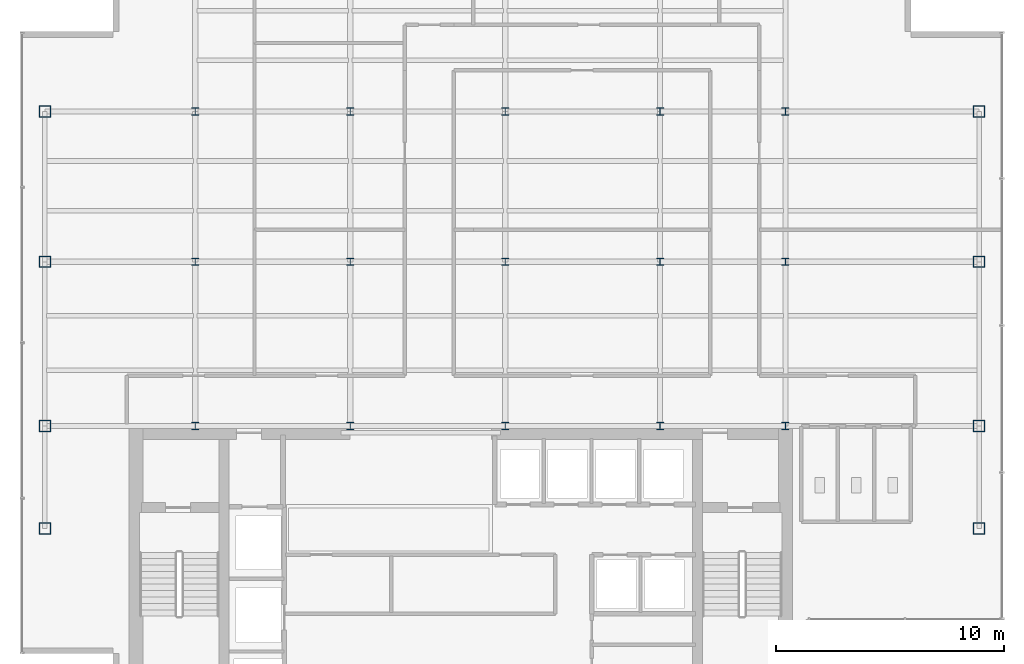
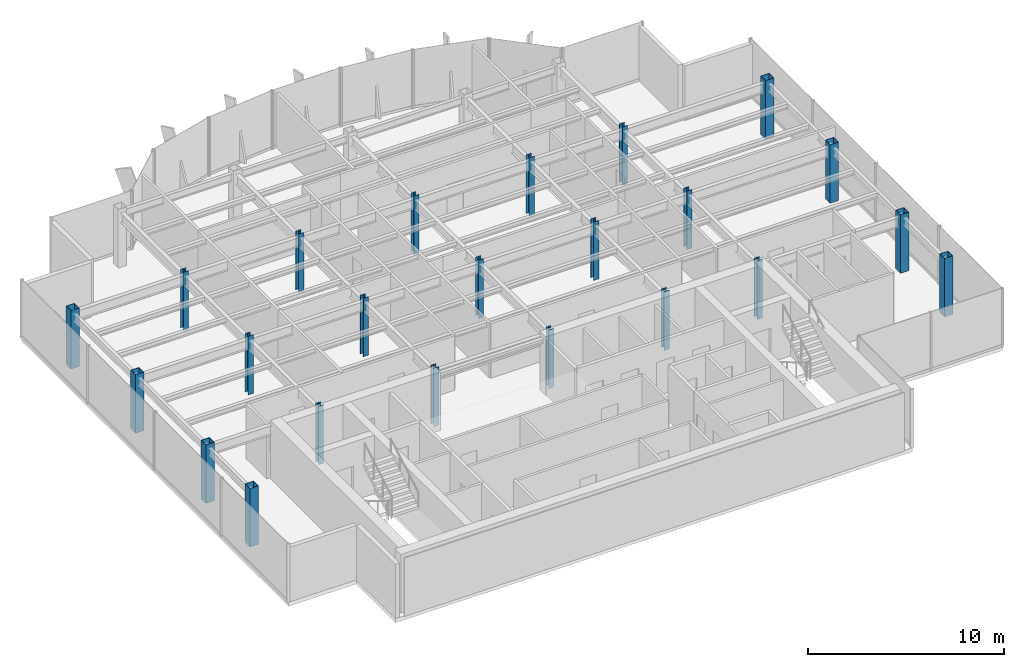
# One storey, part 1 of 22: 23 columns.
"""IFC4 building model written with IfcOpenShell, lengths in metres."""

from ifc_helpers import new_model, si_unit, derived_unit, direction, frame, origin, origin_2d, place, context, subcontext, project, spatial, hollow_rectangle, i_section, extrude, source, transform, mapped, material, material_profile, profile_set, type_object, element, save


model = new_model("IFC4")

# Units and contexts
model_context = context("Model", 3, precision=1e-05, world=origin(), true_north=direction((0.0, 1.0)))
body_context = subcontext(model_context, "Body", "Model", "MODEL_VIEW")
ifc_project = project(units=[si_unit("LENGTHUNIT", "METRE"), si_unit("AREAUNIT", "SQUARE_METRE"), si_unit("VOLUMEUNIT", "CUBIC_METRE"), si_unit("PLANEANGLEUNIT", "RADIAN"), si_unit("MASSUNIT", "GRAM", prefix="KILO"), derived_unit("THERMALTRANSMITTANCEUNIT", [(si_unit("POWERUNIT", "WATT"), 1), (si_unit("LENGTHUNIT", "METRE"), -2), (si_unit("THERMODYNAMICTEMPERATUREUNIT", "KELVIN"), -1)])], contexts=[model_context])

# Site, building, storey
site_placement = place(None, origin())
site = spatial("IfcSite", under=ifc_project, at=site_placement, CompositionType="ELEMENT")
building_placement = place(site_placement, origin())
building = spatial("IfcBuilding", under=site, at=building_placement, Name="Skarnbrae Concourse Arena and Tower", CompositionType="ELEMENT")
storey_placement = place(building_placement, frame((0.0, 0.0, 247.85009765625)))
storey = spatial("IfcBuildingStorey", under=building, at=storey_placement, Name="L64", CompositionType="ELEMENT", Elevation=247.85009765625)

# Columns
ifc_material = material(Name="Steel CSA G40.21 350W", Category="steel")
ifc_material_profile_1 = material_profile(ifc_material, hollow_rectangle(XDim=0.5, YDim=0.5, WallThickness=0.02197265625, at=origin_2d()), Name="HSS500X500X22.0")
ifc_profile_set_1 = profile_set([ifc_material_profile_1], Name="Steel CSA G40.21 350W")
column_type_1 = type_object("IfcColumnType", Name="COL-TUBE-HSS500", PredefinedType="COLUMN", material=ifc_profile_set_1)
shared_shape_1 = source(origin(), body_context, "Body", "SweptSolid", [
    extrude(hollow_rectangle(XDim=0.5, YDim=0.5, WallThickness=0.02197265625, at=origin_2d()), origin(), (0.0, 0.0, 1.0), 3.64990234375),
])
for number, where, z_axis, x_axis, name in (
    (1, (1.0, 9.5, 0.0), (0.0, 0.0, 1.0), (1.0, 0.0, 0.0), "L64 Tower column PC_01_01"),
    (2, (1.0, 14.0, 0.0), (0.0, 0.0, 1.0), (1.0, 0.0, 0.0), "L64 Tower column PC_01_02"),
    (3, (1.0, 21.199951171875, 0.0), (0.0, 0.0, 1.0), (1.0, 0.0, 0.0), "L64 Tower column PC_01_03"),
    (4, (1.0, 27.800048828125, 0.0), (0.0, 0.0, 1.0), (1.0, 0.0, 0.0), "L64 Tower column PC_01_04"),
    (5, (42.0, 9.5, 0.0), (0.0, 0.0, 1.0), (1.0, 0.0, 0.0), "L64 Tower column PC_07_01"),
    (6, (42.0, 14.0, 0.0), (0.0, 0.0, 1.0), (1.0, 0.0, 0.0), "L64 Tower column PC_07_02"),
    (7, (42.0, 21.199951171875, 0.0), (0.0, 0.0, 1.0), (1.0, 0.0, 0.0), "L64 Tower column PC_07_03"),
    (8, (42.0, 27.800048828125, 0.0), (0.0, 0.0, 1.0), (1.0, 0.0, 0.0), "L64 Tower column PC_07_04"),
):
    element("IfcColumn", number, at=place(storey_placement, frame(where, z_axis=z_axis, x_axis=x_axis)), inside=storey, type_object=column_type_1, Name=name, PredefinedType="COLUMN", context=body_context, shape_type="MappedRepresentation", body=[
        mapped(shared_shape_1, transform((0.0, 0.0, 0.0))),
    ])
ifc_material_profile_2 = material_profile(ifc_material, i_section(OverallWidth=0.30908203125, OverallDepth=0.322998046875, WebThickness=0.013916015625, FlangeThickness=0.02294921875, at=origin_2d()), Name="W310X143")
ifc_profile_set_2 = profile_set([ifc_material_profile_2], Name="Steel CSA G40.21 350W")
column_type_2 = type_object("IfcColumnType", Name="COL-INT-W310X143", PredefinedType="COLUMN", material=ifc_profile_set_2)
shared_shape_2 = source(origin(), body_context, "Body", "SweptSolid", [
    extrude(i_section(OverallWidth=0.30908203125, OverallDepth=0.322998046875, WebThickness=0.013916015625, FlangeThickness=0.02294921875, at=origin_2d()), origin(), (0.0, 0.0, 1.0), 3.64990234375),
])
for number, where, z_axis, x_axis, name in (
    (9, (7.60009765625, 14.0, 0.0), (0.0, 0.0, 1.0), (1.0, 0.0, 0.0), "L64 Tower column IC_02_02"),
    (10, (7.60009765625, 21.199951171875, 0.0), (0.0, 0.0, 1.0), (1.0, 0.0, 0.0), "L64 Tower column IC_02_03"),
    (11, (7.60009765625, 27.800048828125, 0.0), (0.0, 0.0, 1.0), (1.0, 0.0, 0.0), "L64 Tower column IC_02_04"),
    (12, (14.39990234375, 14.0, 0.0), (0.0, 0.0, 1.0), (1.0, 0.0, 0.0), "L64 Tower column IC_03_02"),
    (13, (14.39990234375, 21.199951171875, 0.0), (0.0, 0.0, 1.0), (1.0, 0.0, 0.0), "L64 Tower column IC_03_03"),
    (14, (14.39990234375, 27.800048828125, 0.0), (0.0, 0.0, 1.0), (1.0, 0.0, 0.0), "L64 Tower column IC_03_04"),
    (15, (21.199951171875, 14.0, 0.0), (0.0, 0.0, 1.0), (1.0, 0.0, 0.0), "L64 Tower column IC_04_02"),
    (16, (21.199951171875, 21.199951171875, 0.0), (0.0, 0.0, 1.0), (1.0, 0.0, 0.0), "L64 Tower column IC_04_03"),
    (17, (21.199951171875, 27.800048828125, 0.0), (0.0, 0.0, 1.0), (1.0, 0.0, 0.0), "L64 Tower column IC_04_04"),
    (18, (28.0, 14.0, 0.0), (0.0, 0.0, 1.0), (1.0, 0.0, 0.0), "L64 Tower column IC_05_02"),
    (19, (28.0, 21.199951171875, 0.0), (0.0, 0.0, 1.0), (1.0, 0.0, 0.0), "L64 Tower column IC_05_03"),
    (20, (28.0, 27.800048828125, 0.0), (0.0, 0.0, 1.0), (1.0, 0.0, 0.0), "L64 Tower column IC_05_04"),
    (21, (33.5, 14.0, 0.0), (0.0, 0.0, 1.0), (1.0, 0.0, 0.0), "L64 Tower column IC_06_02"),
    (22, (33.5, 21.199951171875, 0.0), (0.0, 0.0, 1.0), (1.0, 0.0, 0.0), "L64 Tower column IC_06_03"),
    (23, (33.5, 27.800048828125, 0.0), (0.0, 0.0, 1.0), (1.0, 0.0, 0.0), "L64 Tower column IC_06_04"),
):
    element("IfcColumn", number, at=place(storey_placement, frame(where, z_axis=z_axis, x_axis=x_axis)), inside=storey, type_object=column_type_2, Name=name, PredefinedType="COLUMN", context=body_context, shape_type="MappedRepresentation", body=[
        mapped(shared_shape_2, transform((0.0, 0.0, 0.0))),
    ])

save(model, "model.ifc")
